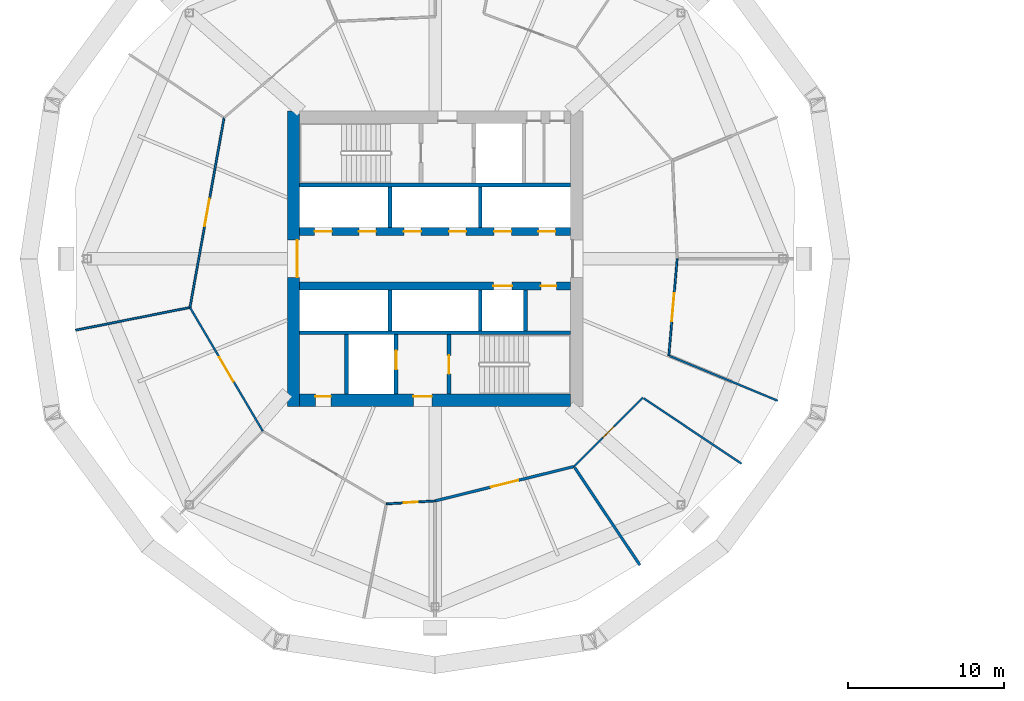
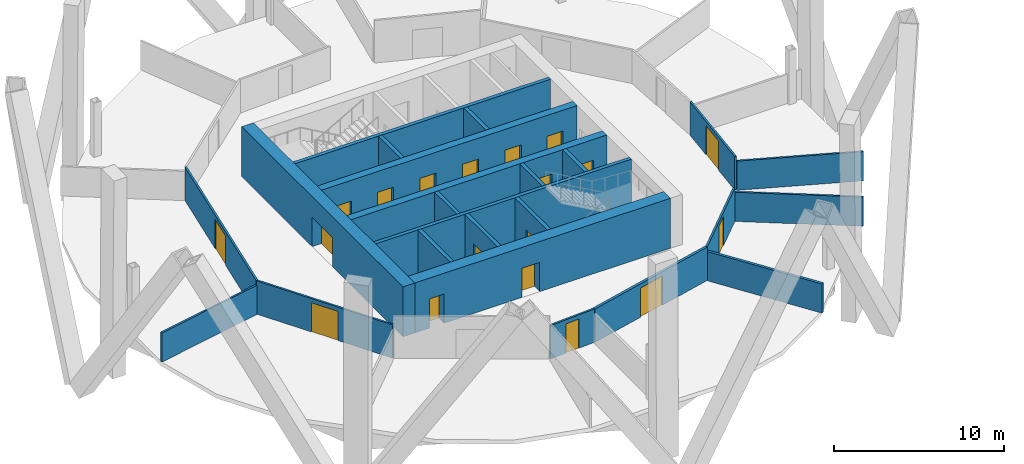
# One storey, part 4 of 10: 24 walls, 19 doors, 19 openings.
"""IFC4 building model written with IfcOpenShell, lengths in metres."""

from ifc_helpers import new_model, si_unit, direction, frame, frame_2d, origin, place, context, subcontext, project, spatial, rectangle, extrude, material, layer, layer_set, type_object, element, fill, save


model = new_model("IFC4")

# Units and contexts
model_context = context("Model", 3, precision=1e-05, world=origin(), true_north=direction((0.0, 1.0)))
body_context = subcontext(model_context, "Body", "Model", "MODEL_VIEW")
ifc_project = project(units=[si_unit("LENGTHUNIT", "METRE"), si_unit("AREAUNIT", "SQUARE_METRE"), si_unit("VOLUMEUNIT", "CUBIC_METRE"), si_unit("PLANEANGLEUNIT", "RADIAN"), si_unit("MASSUNIT", "GRAM", prefix="KILO")], contexts=[model_context])

# Site, building, storey
site_placement = place(None, origin())
site = spatial("IfcSite", under=ifc_project, at=site_placement, CompositionType="ELEMENT")
building_placement = place(site_placement, origin())
building = spatial("IfcBuilding", under=site, at=building_placement, Name="Ogive Gate Towers", CompositionType="ELEMENT")
storey_placement = place(building_placement, frame((0.0, 0.0, 119.10009765625)))
storey = spatial("IfcBuildingStorey", under=building, at=storey_placement, Name="L28", CompositionType="ELEMENT", Elevation=119.10009765625)

# Wall
ifc_material_1 = material(Name="Gypsum board acoustic partition")
ifc_layer_1 = layer(ifc_material_1, 0.175048828125)
ifc_layer_set_1 = layer_set([ifc_layer_1], Name="Acoustic partition 175")
wall_type_1 = type_object("IfcWallType", Name="Acoustic partition 175", PredefinedType="PARTITIONING", material=ifc_layer_set_1)
wall_1_placement = place(storey_placement, frame((-22.8330078125, -19.69189453125, 0.0), z_axis=(0.0, 0.0, 1.0), x_axis=(-0.555827924482, 0.8312973706, 0.0)))
element("IfcWall", 1, at=wall_1_placement, inside=storey, type_object=wall_type_1, Name="Partition T1-L28-012", PredefinedType="PARTITIONING", context=body_context, shape_type="SweptSolid", body=[
    extrude(rectangle(XDim=7.540283203125, YDim=0.175048828125, at=frame_2d((3.77001953125, 0.0))), origin(), (0.0, 0.0, 1.0), 2.099853515625),
])

# Wall, opening, door
wall_2_placement = place(storey_placement, frame((-36.0, -15.56005859375, 0.0), z_axis=(0.0, 0.0, 1.0), x_axis=(0.970722193332, 0.240204961172, 0.0)))
wall_2 = element("IfcWall", 2, at=wall_2_placement, inside=storey, type_object=wall_type_1, Name="Partition T1-L28-021", PredefinedType="PARTITIONING", context=body_context, shape_type="SweptSolid", body=[
    extrude(rectangle(XDim=9.1962890625, YDim=0.175048828125, at=frame_2d((4.59814453125, 0.0))), origin(), (0.0, 0.0, 1.0), 2.39990234375),
])
opening_1_placement = place(wall_2_placement, frame((3.697998046875, 0.0, 0.0)))
opening_1 = element("IfcOpeningElement", 3, at=opening_1_placement, cuts=wall_2, Name="Opening T1-L28-D07", PredefinedType="OPENING", context=body_context, shape_type="SweptSolid", body=[
    extrude(rectangle(XDim=1.800048828125, YDim=2.10009765625, at=frame_2d((0.89990234375, 1.050048828125))), frame((0.0, 0.09765625, 0.0), z_axis=(0.0, -1.0, 0.0), x_axis=(1.0, 0.0, 0.0)), (0.0, 0.0, 1.0), 0.195068359375),
])
ifc_material_2 = material(Name="Timber door", Category="wood")
door_type_1 = type_object("IfcDoorType", Name="Door pair 1800", OperationType="NOTDEFINED", PredefinedType="DOOR", material=ifc_material_2)
door_1_placement = place(opening_1_placement, origin())
door_1 = element("IfcDoor", 4, at=door_1_placement, inside=storey, type_object=door_type_1, Name="Door T1-L28-D07", OperationType="DOUBLE_DOOR_DOUBLE_SWING", OverallHeight=2.10009765625, OverallWidth=1.800048828125, PredefinedType="DOOR", context=body_context, shape_type="SweptSolid", body=[
    extrude(rectangle(XDim=1.800048828125, YDim=2.10009765625, at=frame_2d((0.89990234375, 1.050048828125))), frame((0.0, 0.02490234375, 0.0), z_axis=(0.0, -1.0, 0.0), x_axis=(1.0, 0.0, 0.0)), (0.0, 0.0, 1.0), 0.050048828125),
])
fill(opening_1, door_1)

# Wall, openings, doors
ifc_material_3 = material(Name="Concrete C60/75", Category="concrete")
ifc_layer_2 = layer(ifc_material_3, 0.800048828125)
ifc_layer_set_2 = layer_set([ifc_layer_2], Name="Core wall 800 mm")
wall_type_2 = type_object("IfcWallType", Name="Core wall 800 mm", PredefinedType="SHEAR", material=ifc_layer_set_2)
wall_3_placement = place(storey_placement, frame((-44.699951171875, -9.10009765625, 0.0), z_axis=(0.0, 0.0, 1.0), x_axis=(1.0, 0.0, 0.0)))
wall_3 = element("IfcWall", 5, at=wall_3_placement, inside=storey, type_object=wall_type_2, Name="T1 L28 Core wall 800 mm", PredefinedType="SHEAR", context=body_context, shape_type="SweptSolid", body=[
    extrude(rectangle(XDim=17.39990234375, YDim=0.800048828125, at=frame_2d((8.699951171875, 0.0))), origin(), (0.0, 0.0, 1.0), 3.599853515625),
])
opening_2_placement = place(wall_3_placement, frame((7.300048828125, 0.0, 0.0)))
opening_2 = element("IfcOpeningElement", 6, at=opening_2_placement, cuts=wall_3, Name="Opening KD-T1-L28-16", PredefinedType="OPENING", context=body_context, shape_type="SweptSolid", body=[
    extrude(rectangle(XDim=1.199951171875, YDim=2.10009765625, at=frame_2d((0.60009765625, 1.050048828125))), frame((0.0, 0.41015625, 0.0), z_axis=(0.0, -1.0, 0.0), x_axis=(1.0, 0.0, 0.0)), (0.0, 0.0, 1.0), 0.820068359375),
])
opening_3_placement = place(wall_3_placement, frame((1.0, 0.0, 0.0)))
opening_3 = element("IfcOpeningElement", 7, at=opening_3_placement, cuts=wall_3, Name="Opening KD-T1-L28-19", PredefinedType="OPENING", context=body_context, shape_type="SweptSolid", body=[
    extrude(rectangle(XDim=1.0, YDim=2.10009765625, at=frame_2d((0.5, 1.050048828125))), frame((0.0, 0.41015625, 0.0), z_axis=(0.0, -1.0, 0.0), x_axis=(1.0, 0.0, 0.0)), (0.0, 0.0, 1.0), 0.820068359375),
])
door_type_2 = type_object("IfcDoorType", Name="Accessible WC door 1000 x 2100", OperationType="NOTDEFINED", PredefinedType="DOOR", material=ifc_material_2)
door_2_placement = place(opening_3_placement, origin())
door_2 = element("IfcDoor", 8, at=door_2_placement, inside=storey, type_object=door_type_2, Name="T1 L28 Core door", OperationType="SINGLE_SWING_RIGHT", OverallHeight=2.10009765625, OverallWidth=1.0, PredefinedType="DOOR", context=body_context, shape_type="SweptSolid", body=[
    extrude(rectangle(XDim=1.0, YDim=2.10009765625, at=frame_2d((0.5, 1.050048828125))), frame((0.0, 0.27490234375, 0.0), z_axis=(0.0, -1.0, 0.0), x_axis=(1.0, 0.0, 0.0)), (0.0, 0.0, 1.0), 0.050048828125),
])
fill(opening_3, door_2)
ifc_material_4 = material(Name="Steel fire door", Category="steel")
door_type_3 = type_object("IfcDoorType", Name="Core door FD60S 1200 x 2100", OperationType="NOTDEFINED", PredefinedType="DOOR", material=ifc_material_4)
door_3_placement = place(opening_2_placement, origin())
door_3 = element("IfcDoor", 9, at=door_3_placement, inside=storey, type_object=door_type_3, Name="T1 L28 Fire-fighting lobby door", OperationType="SINGLE_SWING_LEFT", OverallHeight=2.10009765625, OverallWidth=1.199951171875, PredefinedType="DOOR", context=body_context, shape_type="SweptSolid", body=[
    extrude(rectangle(XDim=1.199951171875, YDim=2.10009765625, at=frame_2d((0.60009765625, 1.050048828125))), frame((0.0, 0.27490234375, 0.0), z_axis=(0.0, -1.0, 0.0), x_axis=(1.0, 0.0, 0.0)), (0.0, 0.0, 1.0), 0.050048828125),
])
fill(opening_2, door_3)

# Wall, opening, door
wall_4_placement = place(storey_placement, frame((-45.10009765625, -9.5, 0.0), z_axis=(0.0, 0.0, 1.0), x_axis=(0.0, 1.0, 0.0)))
wall_4 = element("IfcWall", 10, at=wall_4_placement, inside=storey, type_object=wall_type_2, Name="T1 L28 Core wall 800 mm", PredefinedType="SHEAR", context=body_context, shape_type="SweptSolid", body=[
    extrude(rectangle(XDim=19.0, YDim=0.800048828125, at=frame_2d((9.5, 0.0))), origin(), (0.0, 0.0, 1.0), 3.599853515625),
])
opening_4_placement = place(wall_4_placement, frame((8.300048828125, 0.0, 0.0)))
opening_4 = element("IfcOpeningElement", 11, at=opening_4_placement, cuts=wall_4, Name="Opening KD-T1-L28-01", PredefinedType="OPENING", context=body_context, shape_type="SweptSolid", body=[
    extrude(rectangle(XDim=2.39990234375, YDim=2.10009765625, at=frame_2d((1.199951171875, 1.050048828125))), frame((0.0, 0.41015625, 0.0), z_axis=(0.0, -1.0, 0.0), x_axis=(1.0, 0.0, 0.0)), (0.0, 0.0, 1.0), 0.820068359375),
])
door_type_4 = type_object("IfcDoorType", Name="Core double door FD60S 2400 x 2100", OperationType="DOUBLE_DOOR_SINGLE_SWING", PredefinedType="DOOR", material=ifc_material_4)
door_4_placement = place(opening_4_placement, origin())
door_4 = element("IfcDoor", 12, at=door_4_placement, inside=storey, type_object=door_type_4, Name="T1 L28 Core door double", OperationType="DOUBLE_DOOR_SINGLE_SWING", OverallHeight=2.10009765625, OverallWidth=2.39990234375, PredefinedType="DOOR", context=body_context, shape_type="SweptSolid", body=[
    extrude(rectangle(XDim=2.39990234375, YDim=2.10009765625, at=frame_2d((1.199951171875, 1.050048828125))), frame((0.0, -0.22509765625, 0.0), z_axis=(0.0, -1.0, 0.0), x_axis=(1.0, 0.0, 0.0)), (0.0, 0.0, 1.0), 0.050048828125),
])
fill(opening_4, door_4)

# Walls
ifc_material_5 = material(Name="Gypsum board partition")
ifc_layer_3 = layer(ifc_material_5, 0.125)
ifc_layer_set_3 = layer_set([ifc_layer_3], Name="Partition 125")
wall_type_3 = type_object("IfcWallType", Name="Partition 125", PredefinedType="PARTITIONING", material=ifc_layer_set_3)
wall_5_placement = place(storey_placement, frame((-59.1083984375, -4.5888671875, 0.0), z_axis=(0.0, 0.0, 1.0), x_axis=(0.980847449072, 0.194777518337, 0.0)))
element("IfcWall", 13, at=wall_5_placement, inside=storey, type_object=wall_type_3, Name="Partition T1-L28-008", PredefinedType="PARTITIONING", context=body_context, shape_type="SweptSolid", body=[
    extrude(rectangle(XDim=7.4365234375, YDim=0.125, at=frame_2d((3.71826171875, 0.0))), origin(), (0.0, 0.0, 1.0), 2.099853515625),
])
wall_6_placement = place(storey_placement, frame((-16.30810546875, -13.1669921875, 0.0), z_axis=(0.0, 0.0, 1.0), x_axis=(-0.831284914529, 0.555846553354, 0.0)))
element("IfcWall", 14, at=wall_6_placement, inside=storey, type_object=wall_type_3, Name="Partition T1-L28-013", PredefinedType="PARTITIONING", context=body_context, shape_type="SweptSolid", body=[
    extrude(rectangle(XDim=7.565185546875, YDim=0.125, at=frame_2d((3.78271484375, 0.0))), origin(), (0.0, 0.0, 1.0), 2.099853515625),
])
wall_7_placement = place(storey_placement, frame((-13.97216796875, -9.124267578125, 0.0), z_axis=(0.0, 0.0, 1.0), x_axis=(-0.923868428075, 0.382710239746, 0.0)))
element("IfcWall", 15, at=wall_7_placement, inside=storey, type_object=wall_type_3, Name="Partition T1-L28-014", PredefinedType="PARTITIONING", context=body_context, shape_type="SweptSolid", body=[
    extrude(rectangle(XDim=7.519287109375, YDim=0.125, at=frame_2d((3.759765625, 0.0))), origin(), (0.0, 0.0, 1.0), 2.099853515625),
])

# Wall, opening, door
wall_8_placement = place(storey_placement, frame((-49.558837890625, 9.066162109375, 0.0), z_axis=(0.0, 0.0, 1.0), x_axis=(-0.177083524754, -0.984195826683, 0.0)))
wall_8 = element("IfcWall", 16, at=wall_8_placement, inside=storey, type_object=wall_type_3, Name="Partition T1-L28-017", PredefinedType="PARTITIONING", context=body_context, shape_type="SweptSolid", body=[
    extrude(rectangle(XDim=12.39013671875, YDim=0.125, at=frame_2d((6.195068359375, 0.0))), origin(), (0.0, 0.0, 1.0), 2.39990234375),
])
opening_5_placement = place(wall_8_placement, frame((5.294921875, 0.0, 0.0)))
opening_5 = element("IfcOpeningElement", 17, at=opening_5_placement, cuts=wall_8, Name="Opening T1-L28-D03", PredefinedType="OPENING", context=body_context, shape_type="SweptSolid", body=[
    extrude(rectangle(XDim=1.800048828125, YDim=2.10009765625, at=frame_2d((0.89990234375, 1.050048828125))), frame((0.0, 0.072509765625, 0.0), z_axis=(0.0, -1.0, 0.0), x_axis=(1.0, 0.0, 0.0)), (0.0, 0.0, 1.0), 0.14501953125),
])
door_5_placement = place(opening_5_placement, origin())
door_5 = element("IfcDoor", 18, at=door_5_placement, inside=storey, type_object=door_type_1, Name="Door T1-L28-D03", OperationType="DOUBLE_DOOR_DOUBLE_SWING", OverallHeight=2.10009765625, OverallWidth=1.800048828125, PredefinedType="DOOR", context=body_context, shape_type="SweptSolid", body=[
    extrude(rectangle(XDim=1.800048828125, YDim=2.10009765625, at=frame_2d((0.89990234375, 1.050048828125))), frame((0.0, 0.02490234375, 0.0), z_axis=(0.0, -1.0, 0.0), x_axis=(1.0, 0.0, 0.0)), (0.0, 0.0, 1.0), 0.050048828125),
])
fill(opening_5, door_5)

wall_9_placement = place(storey_placement, frame((-51.7529296875, -3.128173828125, 0.0), z_axis=(0.0, 0.0, 1.0), x_axis=(0.507512966856, -0.861644119386, 0.0)))
wall_9 = element("IfcWall", 19, at=wall_9_placement, inside=storey, type_object=wall_type_3, Name="Partition T1-L28-018", PredefinedType="PARTITIONING", context=body_context, shape_type="SweptSolid", body=[
    extrude(rectangle(XDim=9.220703125, YDim=0.125, at=frame_2d((4.6103515625, 0.0))), origin(), (0.0, 0.0, 1.0), 2.39990234375),
])
opening_6_placement = place(wall_9_placement, frame((3.7099609375, 0.0, 0.0)))
opening_6 = element("IfcOpeningElement", 20, at=opening_6_placement, cuts=wall_9, Name="Opening T1-L28-D04", PredefinedType="OPENING", context=body_context, shape_type="SweptSolid", body=[
    extrude(rectangle(XDim=1.800048828125, YDim=2.10009765625, at=frame_2d((0.89990234375, 1.050048828125))), frame((0.0, 0.072509765625, 0.0), z_axis=(0.0, -1.0, 0.0), x_axis=(1.0, 0.0, 0.0)), (0.0, 0.0, 1.0), 0.14501953125),
])
door_6_placement = place(opening_6_placement, origin())
door_6 = element("IfcDoor", 21, at=door_6_placement, inside=storey, type_object=door_type_1, Name="Door T1-L28-D04", OperationType="DOUBLE_DOOR_DOUBLE_SWING", OverallHeight=2.10009765625, OverallWidth=1.800048828125, PredefinedType="DOOR", context=body_context, shape_type="SweptSolid", body=[
    extrude(rectangle(XDim=1.800048828125, YDim=2.10009765625, at=frame_2d((0.89990234375, 1.050048828125))), frame((0.0, 0.02490234375, 0.0), z_axis=(0.0, -1.0, 0.0), x_axis=(1.0, 0.0, 0.0)), (0.0, 0.0, 1.0), 0.050048828125),
])
fill(opening_6, door_6)

wall_10_placement = place(storey_placement, frame((-39.128173828125, -15.7529296875, 0.0), z_axis=(0.0, 0.0, 1.0), x_axis=(0.99810466289, 0.06153927134, 0.0)))
wall_10 = element("IfcWall", 22, at=wall_10_placement, inside=storey, type_object=wall_type_3, Name="Partition T1-L28-020", PredefinedType="PARTITIONING", context=body_context, shape_type="SweptSolid", body=[
    extrude(rectangle(XDim=3.134033203125, YDim=0.125, at=frame_2d((1.56689453125, 0.0))), origin(), (0.0, 0.0, 1.0), 2.39990234375),
])
opening_7_placement = place(wall_10_placement, frame((1.116943359375, 0.0, 0.0)))
opening_7 = element("IfcOpeningElement", 23, at=opening_7_placement, cuts=wall_10, Name="Opening T1-L28-D06", PredefinedType="OPENING", context=body_context, shape_type="SweptSolid", body=[
    extrude(rectangle(XDim=0.89990234375, YDim=2.10009765625, at=frame_2d((0.449951171875, 1.050048828125))), frame((0.0, 0.072509765625, 0.0), z_axis=(0.0, -1.0, 0.0), x_axis=(1.0, 0.0, 0.0)), (0.0, 0.0, 1.0), 0.14501953125),
])
door_type_5 = type_object("IfcDoorType", Name="Door 900", OperationType="NOTDEFINED", PredefinedType="DOOR", material=ifc_material_2)
door_7_placement = place(opening_7_placement, origin())
door_7 = element("IfcDoor", 24, at=door_7_placement, inside=storey, type_object=door_type_5, Name="Door T1-L28-D06", OperationType="SINGLE_SWING_RIGHT", OverallHeight=2.10009765625, OverallWidth=0.89990234375, PredefinedType="DOOR", context=body_context, shape_type="SweptSolid", body=[
    extrude(rectangle(XDim=0.89990234375, YDim=2.10009765625, at=frame_2d((0.449951171875, 1.050048828125))), frame((0.0, 0.02490234375, 0.0), z_axis=(0.0, -1.0, 0.0), x_axis=(1.0, 0.0, 0.0)), (0.0, 0.0, 1.0), 0.050048828125),
])
fill(opening_7, door_7)

wall_11_placement = place(storey_placement, frame((-27.072998046875, -13.35107421875, 0.0), z_axis=(0.0, 0.0, 1.0), x_axis=(0.707106781187, 0.707106781187, 0.0)))
wall_11 = element("IfcWall", 25, at=wall_11_placement, inside=storey, type_object=wall_type_3, Name="Partition T1-L28-022", PredefinedType="PARTITIONING", context=body_context, shape_type="SweptSolid", body=[
    extrude(rectangle(XDim=6.256591796875, YDim=0.125, at=frame_2d((3.12841796875, 0.0))), origin(), (0.0, 0.0, 1.0), 2.39990234375),
])
opening_8_placement = place(wall_11_placement, frame((2.6279296875, 0.0, 0.0)))
opening_8 = element("IfcOpeningElement", 26, at=opening_8_placement, cuts=wall_11, Name="Opening T1-L28-D08", PredefinedType="OPENING", context=body_context, shape_type="SweptSolid", body=[
    extrude(rectangle(XDim=1.0, YDim=2.10009765625, at=frame_2d((0.5, 1.050048828125))), frame((0.0, 0.072509765625, 0.0), z_axis=(0.0, -1.0, 0.0), x_axis=(1.0, 0.0, 0.0)), (0.0, 0.0, 1.0), 0.14501953125),
])
door_type_6 = type_object("IfcDoorType", Name="Door 1000", OperationType="NOTDEFINED", PredefinedType="DOOR", material=ifc_material_2)
door_8_placement = place(opening_8_placement, origin())
door_8 = element("IfcDoor", 27, at=door_8_placement, inside=storey, type_object=door_type_6, Name="Door T1-L28-D08", OperationType="SINGLE_SWING_LEFT", OverallHeight=2.10009765625, OverallWidth=1.0, PredefinedType="DOOR", context=body_context, shape_type="SweptSolid", body=[
    extrude(rectangle(XDim=1.0, YDim=2.10009765625, at=frame_2d((0.5, 1.050048828125))), frame((0.0, 0.02490234375, 0.0), z_axis=(0.0, -1.0, 0.0), x_axis=(1.0, 0.0, 0.0)), (0.0, 0.0, 1.0), 0.050048828125),
])
fill(opening_8, door_8)

wall_12_placement = place(storey_placement, frame((-20.976806640625, -6.222900390625, 0.0), z_axis=(0.0, 0.0, 1.0), x_axis=(0.085953230082, 0.996299173059, 0.0)))
wall_12 = element("IfcWall", 28, at=wall_12_placement, inside=storey, type_object=wall_type_3, Name="Partition T1-L28-023", PredefinedType="PARTITIONING", context=body_context, shape_type="SweptSolid", body=[
    extrude(rectangle(XDim=6.24609375, YDim=0.125, at=frame_2d((3.123046875, 0.0))), origin(), (0.0, 0.0, 1.0), 2.39990234375),
])
opening_9_placement = place(wall_12_placement, frame((2.222900390625, 0.0, 0.0)))
opening_9 = element("IfcOpeningElement", 29, at=opening_9_placement, cuts=wall_12, Name="Opening T1-L28-D09", PredefinedType="OPENING", context=body_context, shape_type="SweptSolid", body=[
    extrude(rectangle(XDim=1.800048828125, YDim=2.10009765625, at=frame_2d((0.89990234375, 1.050048828125))), frame((0.0, 0.072509765625, 0.0), z_axis=(0.0, -1.0, 0.0), x_axis=(1.0, 0.0, 0.0)), (0.0, 0.0, 1.0), 0.14501953125),
])
door_9_placement = place(opening_9_placement, origin())
door_9 = element("IfcDoor", 30, at=door_9_placement, inside=storey, type_object=door_type_1, Name="Door T1-L28-D09", OperationType="DOUBLE_DOOR_DOUBLE_SWING", OverallHeight=2.10009765625, OverallWidth=1.800048828125, PredefinedType="DOOR", context=body_context, shape_type="SweptSolid", body=[
    extrude(rectangle(XDim=1.800048828125, YDim=2.10009765625, at=frame_2d((0.89990234375, 1.050048828125))), frame((0.0, 0.02490234375, 0.0), z_axis=(0.0, -1.0, 0.0), x_axis=(1.0, 0.0, 0.0)), (0.0, 0.0, 1.0), 0.050048828125),
])
fill(opening_9, door_9)

# Walls
ifc_layer_4 = layer(ifc_material_3, 0.25)
ifc_layer_set_4 = layer_set([ifc_layer_4], Name="Shaft wall 250 mm")
wall_type_4 = type_object("IfcWallType", Name="Shaft wall 250 mm", PredefinedType="SHEAR", material=ifc_layer_set_4)
for number, where, z_axis, x_axis, name in (
    (31, (-44.699951171875, -4.75, 0.0), (0.0, 0.0, 1.0), (1.0, 0.0, 0.0), "T1 L28 Shaft wall 250 mm"),
    (32, (-44.699951171875, 4.75, 0.0), (0.0, 0.0, 1.0), (1.0, 0.0, 0.0), "T1 L28 Shaft wall 250 mm"),
):
    element("IfcWall", number, at=place(storey_placement, frame(where, z_axis=z_axis, x_axis=x_axis)), inside=storey, type_object=wall_type_4, Name=name, PredefinedType="SHEAR", context=body_context, shape_type="SweptSolid", body=[
        extrude(rectangle(XDim=17.39990234375, YDim=0.25, at=frame_2d((8.699951171875, 0.0))), origin(), (0.0, 0.0, 1.0), 3.599853515625),
    ])
wall_13_placement = place(storey_placement, frame((-41.699951171875, -8.699951171875, 0.0), z_axis=(0.0, 0.0, 1.0), x_axis=(0.0, 1.0, 0.0)))
element("IfcWall", 33, at=wall_13_placement, inside=storey, type_object=wall_type_4, Name="T1 L28 Shaft wall 250 mm", PredefinedType="SHEAR", context=body_context, shape_type="SweptSolid", body=[
    extrude(rectangle(XDim=3.824951171875, YDim=0.25, at=frame_2d((1.91259765625, 0.0))), origin(), (0.0, 0.0, 1.0), 3.599853515625),
])
for number, where, z_axis, x_axis, name in (
    (34, (-38.89990234375, -4.625, 0.0), (0.0, 0.0, 1.0), (0.0, 1.0, 0.0), "T1 L28 Shaft wall 250 mm"),
    (35, (-38.89990234375, 2.0, 0.0), (0.0, 0.0, 1.0), (0.0, 1.0, 0.0), "T1 L28 Shaft wall 250 mm"),
):
    element("IfcWall", number, at=place(storey_placement, frame(where, z_axis=z_axis, x_axis=x_axis)), inside=storey, type_object=wall_type_4, Name=name, PredefinedType="SHEAR", context=body_context, shape_type="SweptSolid", body=[
        extrude(rectangle(XDim=2.625, YDim=0.25, at=frame_2d((1.3125, 0.0))), origin(), (0.0, 0.0, 1.0), 3.599853515625),
    ])

# Wall, opening, door
wall_14_placement = place(storey_placement, frame((-38.5, -8.699951171875, 0.0), z_axis=(0.0, 0.0, 1.0), x_axis=(0.0, 1.0, 0.0)))
wall_14 = element("IfcWall", 36, at=wall_14_placement, inside=storey, type_object=wall_type_4, Name="T1 L28 Shaft wall 250 mm", PredefinedType="SHEAR", context=body_context, shape_type="SweptSolid", body=[
    extrude(rectangle(XDim=3.824951171875, YDim=0.25, at=frame_2d((1.91259765625, 0.0))), origin(), (0.0, 0.0, 1.0), 3.599853515625),
])
opening_10_placement = place(wall_14_placement, frame((1.60009765625, 0.0, 0.0)))
opening_10 = element("IfcOpeningElement", 37, at=opening_10_placement, cuts=wall_14, Name="Opening LD-T1-L28-11", PredefinedType="OPENING", context=body_context, shape_type="SweptSolid", body=[
    extrude(rectangle(XDim=1.199951171875, YDim=2.10009765625, at=frame_2d((0.60009765625, 1.050048828125))), frame((0.0, 0.135009765625, 0.0), z_axis=(0.0, -1.0, 0.0), x_axis=(1.0, 0.0, 0.0)), (0.0, 0.0, 1.0), 0.27001953125),
])
ifc_material_6 = material(Name="Stainless steel landing door", Category="steel")
door_type_7 = type_object("IfcDoorType", Name="Landing door 1200 x 2100", OperationType="SLIDING_TO_LEFT", PredefinedType="DOOR", material=ifc_material_6)
door_10_placement = place(opening_10_placement, origin())
door_10 = element("IfcDoor", 38, at=door_10_placement, inside=storey, type_object=door_type_7, Name="T1 L28 Lift landing door FF2", OperationType="SLIDING_TO_LEFT", OverallHeight=2.10009765625, OverallWidth=1.199951171875, PredefinedType="DOOR", context=body_context, shape_type="SweptSolid", body=[
    extrude(rectangle(XDim=1.199951171875, YDim=2.10009765625, at=frame_2d((0.60009765625, 1.050048828125))), frame((0.0, 0.02490234375, 0.0), z_axis=(0.0, -1.0, 0.0), x_axis=(1.0, 0.0, 0.0)), (0.0, 0.0, 1.0), 0.050048828125),
])
fill(opening_10, door_10)

wall_15_placement = place(storey_placement, frame((-35.10009765625, -8.699951171875, 0.0), z_axis=(0.0, 0.0, 1.0), x_axis=(0.0, 1.0, 0.0)))
wall_15 = element("IfcWall", 39, at=wall_15_placement, inside=storey, type_object=wall_type_4, Name="T1 L28 Shaft wall 250 mm", PredefinedType="SHEAR", context=body_context, shape_type="SweptSolid", body=[
    extrude(rectangle(XDim=3.824951171875, YDim=0.25, at=frame_2d((1.91259765625, 0.0))), origin(), (0.0, 0.0, 1.0), 3.599853515625),
])
opening_11_placement = place(wall_15_placement, frame((1.300048828125, 0.0, 0.0)))
opening_11 = element("IfcOpeningElement", 40, at=opening_11_placement, cuts=wall_15, Name="Opening KD-T1-L28-14", PredefinedType="OPENING", context=body_context, shape_type="SweptSolid", body=[
    extrude(rectangle(XDim=1.199951171875, YDim=2.10009765625, at=frame_2d((0.60009765625, 1.050048828125))), frame((0.0, 0.135009765625, 0.0), z_axis=(0.0, -1.0, 0.0), x_axis=(1.0, 0.0, 0.0)), (0.0, 0.0, 1.0), 0.27001953125),
])
door_11_placement = place(opening_11_placement, origin())
door_11 = element("IfcDoor", 41, at=door_11_placement, inside=storey, type_object=door_type_3, Name="T1 L28 Stair door", OperationType="SINGLE_SWING_LEFT", OverallHeight=2.10009765625, OverallWidth=1.199951171875, PredefinedType="DOOR", context=body_context, shape_type="SweptSolid", body=[
    extrude(rectangle(XDim=1.199951171875, YDim=2.10009765625, at=frame_2d((0.60009765625, 1.050048828125))), frame((0.0, 0.02490234375, 0.0), z_axis=(0.0, -1.0, 0.0), x_axis=(1.0, 0.0, 0.0)), (0.0, 0.0, 1.0), 0.050048828125),
])
fill(opening_11, door_11)

# Walls
for number, where, z_axis, x_axis, name in (
    (42, (-33.10009765625, -4.625, 0.0), (0.0, 0.0, 1.0), (0.0, 1.0, 0.0), "T1 L28 Shaft wall 250 mm"),
    (43, (-33.10009765625, 2.0, 0.0), (0.0, 0.0, 1.0), (0.0, 1.0, 0.0), "T1 L28 Shaft wall 250 mm"),
    (44, (-30.199951171875, -4.625, 0.0), (0.0, 0.0, 1.0), (0.0, 1.0, 0.0), "T1 L28 Shaft wall 250 mm"),
):
    element("IfcWall", number, at=place(storey_placement, frame(where, z_axis=z_axis, x_axis=x_axis)), inside=storey, type_object=wall_type_4, Name=name, PredefinedType="SHEAR", context=body_context, shape_type="SweptSolid", body=[
        extrude(rectangle(XDim=2.625, YDim=0.25, at=frame_2d((1.3125, 0.0))), origin(), (0.0, 0.0, 1.0), 3.599853515625),
    ])

# Wall, openings, doors
ifc_layer_5 = layer(ifc_material_3, 0.5)
ifc_layer_set_5 = layer_set([ifc_layer_5], Name="Spine wall 500 mm")
wall_type_5 = type_object("IfcWallType", Name="Spine wall 500 mm", PredefinedType="SHEAR", material=ifc_layer_set_5)
wall_16_placement = place(storey_placement, frame((-44.699951171875, -1.75, 0.0), z_axis=(0.0, 0.0, 1.0), x_axis=(1.0, 0.0, 0.0)))
wall_16 = element("IfcWall", 45, at=wall_16_placement, inside=storey, type_object=wall_type_5, Name="T1 L28 Spine wall 500 mm", PredefinedType="SHEAR", context=body_context, shape_type="SweptSolid", body=[
    extrude(rectangle(XDim=17.39990234375, YDim=0.5, at=frame_2d((8.699951171875, 0.0))), origin(), (0.0, 0.0, 1.0), 3.599853515625),
])
opening_12_placement = place(wall_16_placement, frame((12.449951171875, 0.0, 0.0)))
opening_12 = element("IfcOpeningElement", 46, at=opening_12_placement, cuts=wall_16, Name="Opening LD-T1-L28-09", PredefinedType="OPENING", context=body_context, shape_type="SweptSolid", body=[
    extrude(rectangle(XDim=1.199951171875, YDim=2.10009765625, at=frame_2d((0.60009765625, 1.050048828125))), frame((0.0, 0.260009765625, 0.0), z_axis=(0.0, -1.0, 0.0), x_axis=(1.0, 0.0, 0.0)), (0.0, 0.0, 1.0), 0.52001953125),
])
opening_13_placement = place(wall_16_placement, frame((15.5, 0.0, 0.0)))
opening_13 = element("IfcOpeningElement", 47, at=opening_13_placement, cuts=wall_16, Name="Opening KD-T1-L28-12", PredefinedType="OPENING", context=body_context, shape_type="SweptSolid", body=[
    extrude(rectangle(XDim=1.0, YDim=2.10009765625, at=frame_2d((0.5, 1.050048828125))), frame((0.0, 0.260009765625, 0.0), z_axis=(0.0, -1.0, 0.0), x_axis=(1.0, 0.0, 0.0)), (0.0, 0.0, 1.0), 0.52001953125),
])
door_type_8 = type_object("IfcDoorType", Name="Core door FD60S 1000 x 2100", OperationType="NOTDEFINED", PredefinedType="DOOR", material=ifc_material_4)
door_12_placement = place(opening_13_placement, origin())
door_12 = element("IfcDoor", 48, at=door_12_placement, inside=storey, type_object=door_type_8, Name="T1 L28 Core door", OperationType="SINGLE_SWING_LEFT", OverallHeight=2.10009765625, OverallWidth=1.0, PredefinedType="DOOR", context=body_context, shape_type="SweptSolid", body=[
    extrude(rectangle(XDim=1.0, YDim=2.10009765625, at=frame_2d((0.5, 1.050048828125))), frame((0.0, 0.02490234375, 0.0), z_axis=(0.0, -1.0, 0.0), x_axis=(1.0, 0.0, 0.0)), (0.0, 0.0, 1.0), 0.050048828125),
])
fill(opening_13, door_12)
door_13_placement = place(opening_12_placement, origin())
door_13 = element("IfcDoor", 49, at=door_13_placement, inside=storey, type_object=door_type_7, Name="T1 L28 Lift landing door SVC", OperationType="SLIDING_TO_LEFT", OverallHeight=2.10009765625, OverallWidth=1.199951171875, PredefinedType="DOOR", context=body_context, shape_type="SweptSolid", body=[
    extrude(rectangle(XDim=1.199951171875, YDim=2.10009765625, at=frame_2d((0.60009765625, 1.050048828125))), frame((0.0, 0.02490234375, 0.0), z_axis=(0.0, -1.0, 0.0), x_axis=(1.0, 0.0, 0.0)), (0.0, 0.0, 1.0), 0.050048828125),
])
fill(opening_12, door_13)

wall_17_placement = place(storey_placement, frame((-44.699951171875, 1.75, 0.0), z_axis=(0.0, 0.0, 1.0), x_axis=(1.0, 0.0, 0.0)))
wall_17 = element("IfcWall", 50, at=wall_17_placement, inside=storey, type_object=wall_type_5, Name="T1 L28 Spine wall 500 mm", PredefinedType="SHEAR", context=body_context, shape_type="SweptSolid", body=[
    extrude(rectangle(XDim=17.39990234375, YDim=0.5, at=frame_2d((8.699951171875, 0.0))), origin(), (0.0, 0.0, 1.0), 3.599853515625),
])
opening_14_placement = place(wall_17_placement, frame((0.96240234375, 0.0, 0.0)))
opening_14 = element("IfcOpeningElement", 51, at=opening_14_placement, cuts=wall_17, Name="Opening LD-T1-L28-03", PredefinedType="OPENING", context=body_context, shape_type="SweptSolid", body=[
    extrude(rectangle(XDim=1.10009765625, YDim=2.10009765625, at=frame_2d((0.550048828125, 1.050048828125))), frame((0.0, 0.260009765625, 0.0), z_axis=(0.0, -1.0, 0.0), x_axis=(1.0, 0.0, 0.0)), (0.0, 0.0, 1.0), 0.52001953125),
])
opening_15_placement = place(wall_17_placement, frame((3.800048828125, 0.0, 0.0)))
opening_15 = element("IfcOpeningElement", 52, at=opening_15_placement, cuts=wall_17, Name="Opening LD-T1-L28-04", PredefinedType="OPENING", context=body_context, shape_type="SweptSolid", body=[
    extrude(rectangle(XDim=1.10009765625, YDim=2.10009765625, at=frame_2d((0.550048828125, 1.050048828125))), frame((0.0, 0.260009765625, 0.0), z_axis=(0.0, -1.0, 0.0), x_axis=(1.0, 0.0, 0.0)), (0.0, 0.0, 1.0), 0.52001953125),
])
opening_16_placement = place(wall_17_placement, frame((6.699951171875, 0.0, 0.0)))
opening_16 = element("IfcOpeningElement", 53, at=opening_16_placement, cuts=wall_17, Name="Opening LD-T1-L28-05", PredefinedType="OPENING", context=body_context, shape_type="SweptSolid", body=[
    extrude(rectangle(XDim=1.10009765625, YDim=2.10009765625, at=frame_2d((0.550048828125, 1.050048828125))), frame((0.0, 0.260009765625, 0.0), z_axis=(0.0, -1.0, 0.0), x_axis=(1.0, 0.0, 0.0)), (0.0, 0.0, 1.0), 0.52001953125),
])
opening_17_placement = place(wall_17_placement, frame((9.60009765625, 0.0, 0.0)))
opening_17 = element("IfcOpeningElement", 54, at=opening_17_placement, cuts=wall_17, Name="Opening LD-T1-L28-06", PredefinedType="OPENING", context=body_context, shape_type="SweptSolid", body=[
    extrude(rectangle(XDim=1.10009765625, YDim=2.10009765625, at=frame_2d((0.550048828125, 1.050048828125))), frame((0.0, 0.260009765625, 0.0), z_axis=(0.0, -1.0, 0.0), x_axis=(1.0, 0.0, 0.0)), (0.0, 0.0, 1.0), 0.52001953125),
])
opening_18_placement = place(wall_17_placement, frame((12.5, 0.0, 0.0)))
opening_18 = element("IfcOpeningElement", 55, at=opening_18_placement, cuts=wall_17, Name="Opening LD-T1-L28-07", PredefinedType="OPENING", context=body_context, shape_type="SweptSolid", body=[
    extrude(rectangle(XDim=1.10009765625, YDim=2.10009765625, at=frame_2d((0.550048828125, 1.050048828125))), frame((0.0, 0.260009765625, 0.0), z_axis=(0.0, -1.0, 0.0), x_axis=(1.0, 0.0, 0.0)), (0.0, 0.0, 1.0), 0.52001953125),
])
opening_19_placement = place(wall_17_placement, frame((15.33740234375, 0.0, 0.0)))
opening_19 = element("IfcOpeningElement", 56, at=opening_19_placement, cuts=wall_17, Name="Opening LD-T1-L28-08", PredefinedType="OPENING", context=body_context, shape_type="SweptSolid", body=[
    extrude(rectangle(XDim=1.10009765625, YDim=2.10009765625, at=frame_2d((0.550048828125, 1.050048828125))), frame((0.0, 0.260009765625, 0.0), z_axis=(0.0, -1.0, 0.0), x_axis=(1.0, 0.0, 0.0)), (0.0, 0.0, 1.0), 0.52001953125),
])
door_type_9 = type_object("IfcDoorType", Name="Landing door 1100 x 2100", OperationType="SLIDING_TO_LEFT", PredefinedType="DOOR", material=ifc_material_6)
door_14_placement = place(opening_14_placement, origin())
door_14 = element("IfcDoor", 57, at=door_14_placement, inside=storey, type_object=door_type_9, Name="T1 L28 Lift landing door A1", OperationType="SLIDING_TO_LEFT", OverallHeight=2.10009765625, OverallWidth=1.10009765625, PredefinedType="DOOR", context=body_context, shape_type="SweptSolid", body=[
    extrude(rectangle(XDim=1.10009765625, YDim=2.10009765625, at=frame_2d((0.550048828125, 1.050048828125))), frame((0.0, 0.02490234375, 0.0), z_axis=(0.0, -1.0, 0.0), x_axis=(1.0, 0.0, 0.0)), (0.0, 0.0, 1.0), 0.050048828125),
])
fill(opening_14, door_14)
door_15_placement = place(opening_15_placement, origin())
door_15 = element("IfcDoor", 58, at=door_15_placement, inside=storey, type_object=door_type_9, Name="T1 L28 Lift landing door A2", OperationType="SLIDING_TO_LEFT", OverallHeight=2.10009765625, OverallWidth=1.10009765625, PredefinedType="DOOR", context=body_context, shape_type="SweptSolid", body=[
    extrude(rectangle(XDim=1.10009765625, YDim=2.10009765625, at=frame_2d((0.550048828125, 1.050048828125))), frame((0.0, 0.02490234375, 0.0), z_axis=(0.0, -1.0, 0.0), x_axis=(1.0, 0.0, 0.0)), (0.0, 0.0, 1.0), 0.050048828125),
])
fill(opening_15, door_15)
door_16_placement = place(opening_16_placement, origin())
door_16 = element("IfcDoor", 59, at=door_16_placement, inside=storey, type_object=door_type_9, Name="T1 L28 Lift landing door A3", OperationType="SLIDING_TO_LEFT", OverallHeight=2.10009765625, OverallWidth=1.10009765625, PredefinedType="DOOR", context=body_context, shape_type="SweptSolid", body=[
    extrude(rectangle(XDim=1.10009765625, YDim=2.10009765625, at=frame_2d((0.550048828125, 1.050048828125))), frame((0.0, 0.02490234375, 0.0), z_axis=(0.0, -1.0, 0.0), x_axis=(1.0, 0.0, 0.0)), (0.0, 0.0, 1.0), 0.050048828125),
])
fill(opening_16, door_16)
door_17_placement = place(opening_17_placement, origin())
door_17 = element("IfcDoor", 60, at=door_17_placement, inside=storey, type_object=door_type_9, Name="T1 L28 Lift landing door A4", OperationType="SLIDING_TO_LEFT", OverallHeight=2.10009765625, OverallWidth=1.10009765625, PredefinedType="DOOR", context=body_context, shape_type="SweptSolid", body=[
    extrude(rectangle(XDim=1.10009765625, YDim=2.10009765625, at=frame_2d((0.550048828125, 1.050048828125))), frame((0.0, 0.02490234375, 0.0), z_axis=(0.0, -1.0, 0.0), x_axis=(1.0, 0.0, 0.0)), (0.0, 0.0, 1.0), 0.050048828125),
])
fill(opening_17, door_17)
door_18_placement = place(opening_18_placement, origin())
door_18 = element("IfcDoor", 61, at=door_18_placement, inside=storey, type_object=door_type_9, Name="T1 L28 Lift landing door A5", OperationType="SLIDING_TO_LEFT", OverallHeight=2.10009765625, OverallWidth=1.10009765625, PredefinedType="DOOR", context=body_context, shape_type="SweptSolid", body=[
    extrude(rectangle(XDim=1.10009765625, YDim=2.10009765625, at=frame_2d((0.550048828125, 1.050048828125))), frame((0.0, 0.02490234375, 0.0), z_axis=(0.0, -1.0, 0.0), x_axis=(1.0, 0.0, 0.0)), (0.0, 0.0, 1.0), 0.050048828125),
])
fill(opening_18, door_18)
door_19_placement = place(opening_19_placement, origin())
door_19 = element("IfcDoor", 62, at=door_19_placement, inside=storey, type_object=door_type_9, Name="T1 L28 Lift landing door A6", OperationType="SLIDING_TO_LEFT", OverallHeight=2.10009765625, OverallWidth=1.10009765625, PredefinedType="DOOR", context=body_context, shape_type="SweptSolid", body=[
    extrude(rectangle(XDim=1.10009765625, YDim=2.10009765625, at=frame_2d((0.550048828125, 1.050048828125))), frame((0.0, 0.02490234375, 0.0), z_axis=(0.0, -1.0, 0.0), x_axis=(1.0, 0.0, 0.0)), (0.0, 0.0, 1.0), 0.050048828125),
])
fill(opening_19, door_19)

save(model, "model.ifc")
